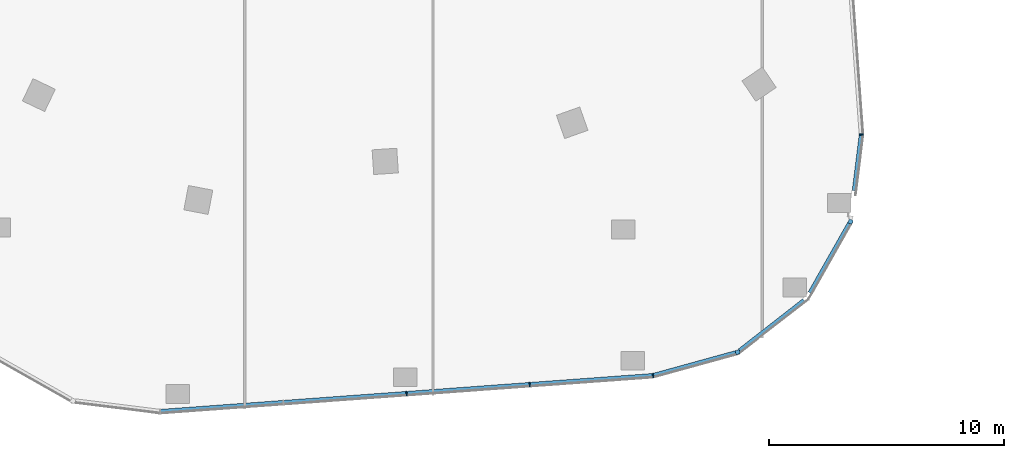
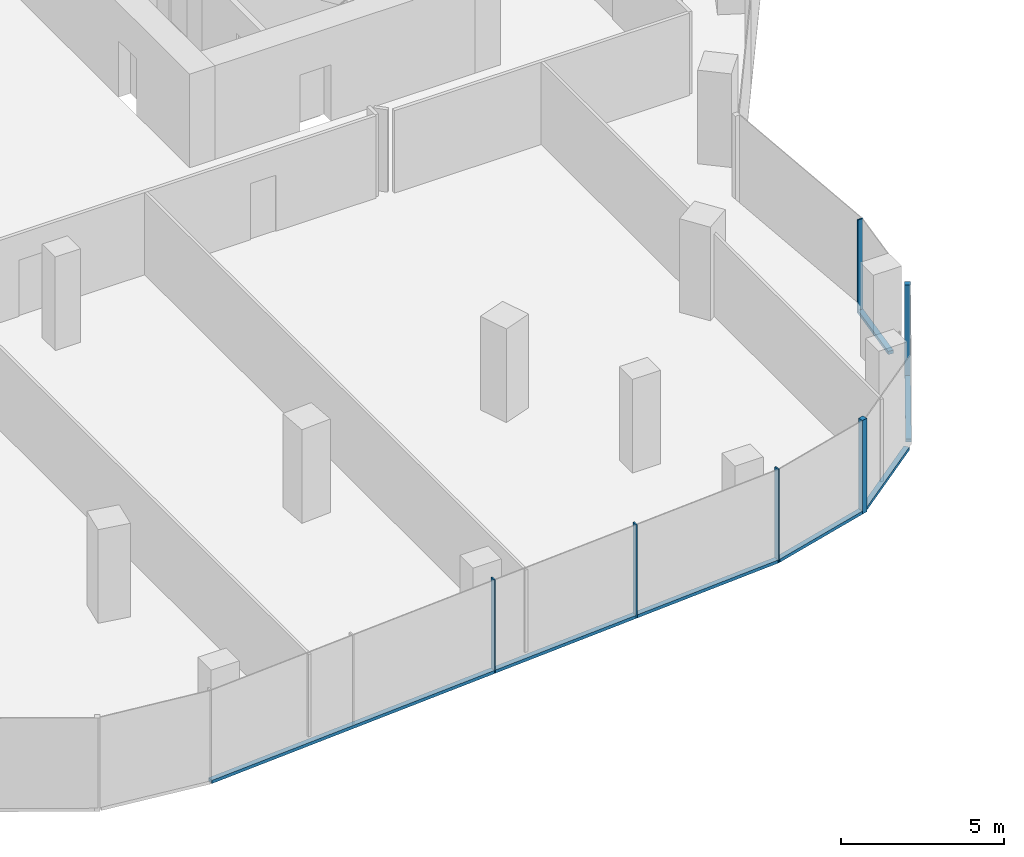
# One storey, part 4 of 24: 11 members, 5 elements without a shape of their own.
"""IFC4 building model written with IfcOpenShell, lengths in metres."""

from ifc_helpers import new_model, si_unit, direction, frame, origin, origin_2d, place, context, subcontext, project, spatial, rectangle, extrude, material, material_profile, profile_set, type_object, element, aggregate, save


model = new_model("IFC4")

# Units and contexts
model_context = context("Model", 3, precision=1e-05, world=origin(), true_north=direction((0.0, 1.0)))
body_context = subcontext(model_context, "Body", "Model", "MODEL_VIEW")
ifc_project = project(units=[si_unit("LENGTHUNIT", "METRE"), si_unit("AREAUNIT", "SQUARE_METRE"), si_unit("VOLUMEUNIT", "CUBIC_METRE"), si_unit("PLANEANGLEUNIT", "RADIAN"), si_unit("MASSUNIT", "GRAM", prefix="KILO")], contexts=[model_context])

# Site, building, storey
site_placement = place(None, origin())
site = spatial("IfcSite", under=ifc_project, at=site_placement, CompositionType="ELEMENT")
building_placement = place(site_placement, origin())
building = spatial("IfcBuilding", under=site, at=building_placement, Name="Orlundy Tower", CompositionType="ELEMENT")
storey_placement = place(building_placement, frame((0.0, 0.0, 235.5)))
storey = spatial("IfcBuildingStorey", under=building, at=storey_placement, Name="L62", CompositionType="ELEMENT", Elevation=235.5)

# Curtain wall, member
ifc_material_1 = material(Name="Aluminium bronze anodised", Category="aluminium")
curtain_wall_type = type_object("IfcCurtainWallType", Name="CW1 wall", PredefinedType="NOTDEFINED", material=ifc_material_1)
curtain_wall_1_placement = place(storey_placement, origin())
curtain_wall_1 = element("IfcCurtainWall", 1, at=curtain_wall_1_placement, inside=storey, type_object=curtain_wall_type, Name="CW1 run 04", PredefinedType="NOTDEFINED")
ifc_material_2 = material(Name="Aluminium bronze anodised", Category="aluminium")
ifc_material_profile_1 = material_profile(ifc_material_2, rectangle(XDim=0.179931640625, YDim=0.179931640625, at=origin_2d()), Name="CW1 corner post 180x180")
ifc_profile_set_1 = profile_set([ifc_material_profile_1], Name="Aluminium bronze anodised")
member_type_1 = type_object("IfcMemberType", Name="CW1 corner post 180x180", PredefinedType="MULLION", material=ifc_profile_set_1)
member_1_placement = place(storey_placement, frame((21.757080078125, -32.1748046875, -0.39990234375), z_axis=(0.0, 0.0, 1.0), x_axis=(0.869601381531, -0.493754430095, 0.0)))
member_1 = element("IfcMember", 2, at=member_1_placement, type_object=member_type_1, Name="CW1 mullion 7", PredefinedType="MULLION", context=body_context, shape_type="SweptSolid", body=[
    extrude(rectangle(XDim=0.179931640625, YDim=0.179931640625, at=origin_2d()), origin(), (0.0, 0.0, 1.0), 3.5),
])

curtain_wall_2_placement = place(storey_placement, origin())
curtain_wall_2 = element("IfcCurtainWall", 3, at=curtain_wall_2_placement, inside=storey, type_object=curtain_wall_type, Name="CW1 run 06", PredefinedType="NOTDEFINED")
member_2_placement = place(storey_placement, frame((16.957275390625, -37.72900390625, -0.39990234375), z_axis=(0.0, 0.0, 1.0), x_axis=(0.265946284152, -0.96398784948, 0.0)))
member_2 = element("IfcMember", 4, at=member_2_placement, type_object=member_type_1, Name="CW1 mullion 9", PredefinedType="MULLION", context=body_context, shape_type="SweptSolid", body=[
    extrude(rectangle(XDim=0.179931640625, YDim=0.179931640625, at=origin_2d()), origin(), (0.0, 0.0, 1.0), 3.5),
])

curtain_wall_3_placement = place(storey_placement, origin())
curtain_wall_3 = element("IfcCurtainWall", 5, at=curtain_wall_3_placement, inside=storey, type_object=curtain_wall_type, Name="CW1 run 03", PredefinedType="NOTDEFINED")
ifc_material_3 = material(Name="Aluminium bronze anodised", Category="aluminium")
ifc_material_profile_2 = material_profile(ifc_material_3, rectangle(XDim=0.179931640625, YDim=0.050048828125, at=origin_2d()), Name="CW1 mullion 50x180")
ifc_profile_set_2 = profile_set([ifc_material_profile_2], Name="Aluminium bronze anodised")
member_type_2 = type_object("IfcMemberType", Name="CW1 mullion 50x180", PredefinedType="MULLION", material=ifc_profile_set_2)
member_3_placement = place(storey_placement, frame((22.21728515625, -28.47021484375, -0.39990234375), z_axis=(0.0, 0.0, 1.0), x_axis=(0.999676246747, -0.025444089483, 0.0)))
member_3 = element("IfcMember", 6, at=member_3_placement, type_object=member_type_2, Name="CW1 mullion 6", PredefinedType="MULLION", context=body_context, shape_type="SweptSolid", body=[
    extrude(rectangle(XDim=0.179931640625, YDim=0.050048828125, at=origin_2d()), origin(), (0.0, 0.0, 1.0), 3.5),
])

# Curtain wall, members
curtain_wall_4_placement = place(storey_placement, origin())
curtain_wall_4 = element("IfcCurtainWall", 7, at=curtain_wall_4_placement, inside=storey, type_object=curtain_wall_type, Name="CW1 run 07", PredefinedType="NOTDEFINED")
member_4_placement = place(storey_placement, frame((13.357421875, -38.72216796875, -0.39990234375), z_axis=(0.0, 0.0, 1.0), x_axis=(0.170127379621, -0.985422079468, 0.0)))
member_4 = element("IfcMember", 8, at=member_4_placement, type_object=member_type_2, Name="CW1 mullion 10", PredefinedType="MULLION", context=body_context, shape_type="SweptSolid", body=[
    extrude(rectangle(XDim=0.179931640625, YDim=0.050048828125, at=origin_2d()), origin(), (0.0, 0.0, 1.0), 3.5),
])
member_5_placement = place(storey_placement, frame((8.112548828125, -39.104248046875, -0.39990234375), z_axis=(0.0, 0.0, 1.0), x_axis=(0.072668329988, -0.997356161969, 0.0)))
member_5 = element("IfcMember", 9, at=member_5_placement, type_object=member_type_2, Name="CW1 mullion 11", PredefinedType="MULLION", context=body_context, shape_type="SweptSolid", body=[
    extrude(rectangle(XDim=0.179931640625, YDim=0.050048828125, at=origin_2d()), origin(), (0.0, 0.0, 1.0), 3.5),
])
member_6_placement = place(storey_placement, frame((2.87646484375, -39.48583984375, -0.39990234375), z_axis=(0.0, 0.0, 1.0), x_axis=(0.072668329988, -0.997356161969, 0.0)))
member_6 = element("IfcMember", 10, at=member_6_placement, type_object=member_type_2, Name="CW1 mullion 12", PredefinedType="MULLION", context=body_context, shape_type="SweptSolid", body=[
    extrude(rectangle(XDim=0.179931640625, YDim=0.050048828125, at=origin_2d()), origin(), (0.0, 0.0, 1.0), 3.5),
])

# Member
ifc_material_4 = material(Name="Aluminium bronze anodised", Category="aluminium")
ifc_material_profile_3 = material_profile(ifc_material_4, rectangle(XDim=0.179931640625, YDim=0.1201171875, at=origin_2d()), Name="CW1 transom 180x120")
ifc_profile_set_3 = profile_set([ifc_material_profile_3], Name="Aluminium bronze anodised")
member_type_3 = type_object("IfcMemberType", Name="CW1 transom 180x120", PredefinedType="USERDEFINED", material=ifc_profile_set_3)
member_7_placement = place(storey_placement, frame((22.21435546875, -28.4951171875, -0.340087890625), z_axis=(-0.123354908055, -0.992362618532, 0.0), x_axis=(0.992362618532, -0.123354908055, 0.0)))
member_7 = element("IfcMember", 11, at=member_7_placement, type_object=member_type_3, Name="CW1 transom", ObjectType="TRANSOM", PredefinedType="USERDEFINED", context=body_context, shape_type="SweptSolid", body=[
    extrude(rectangle(XDim=0.179931640625, YDim=0.1201171875, at=origin_2d()), origin(), (0.0, 0.0, 1.0), 2.386962890625),
])

aggregate(curtain_wall_3, [member_3, member_7])

member_8_placement = place(storey_placement, frame((21.712646484375, -32.253173828125, -0.340087890625), z_axis=(-0.493783343086, -0.869584964273, 0.0), x_axis=(0.869584964273, -0.493783343086, 0.0)))
member_8 = element("IfcMember", 12, at=member_8_placement, type_object=member_type_3, Name="CW1 transom", ObjectType="TRANSOM", PredefinedType="USERDEFINED", context=body_context, shape_type="SweptSolid", body=[
    extrude(rectangle(XDim=0.179931640625, YDim=0.1201171875, at=origin_2d()), origin(), (0.0, 0.0, 1.0), 3.395751953125),
])

aggregate(curtain_wall_1, [member_1, member_8])

# Curtain wall, member
curtain_wall_5_placement = place(storey_placement, origin())
curtain_wall_5 = element("IfcCurtainWall", 13, at=curtain_wall_5_placement, inside=storey, type_object=curtain_wall_type, Name="CW1 run 05", PredefinedType="NOTDEFINED")
member_9_placement = place(storey_placement, frame((19.78369140625, -35.527099609375, -0.340087890625), z_axis=(-0.788880549611, -0.614546563285, 0.0), x_axis=(0.614546563285, -0.788880549611, 0.0)))
member_9 = element("IfcMember", 14, at=member_9_placement, type_object=member_type_3, Name="CW1 transom", ObjectType="TRANSOM", PredefinedType="USERDEFINED", context=body_context, shape_type="SweptSolid", body=[
    extrude(rectangle(XDim=0.179931640625, YDim=0.1201171875, at=origin_2d()), origin(), (0.0, 0.0, 1.0), 3.485595703125),
])
aggregate(curtain_wall_5, [member_9])

# Member
member_10_placement = place(storey_placement, frame((16.870361328125, -37.7529296875, -0.340087890625), z_axis=(-0.963993810847, -0.265924674763, 0.0), x_axis=(0.265924674763, -0.963993810847, 0.0)))
member_10 = element("IfcMember", 15, at=member_10_placement, type_object=member_type_3, Name="CW1 transom", ObjectType="TRANSOM", PredefinedType="USERDEFINED", context=body_context, shape_type="SweptSolid", body=[
    extrude(rectangle(XDim=0.179931640625, YDim=0.1201171875, at=origin_2d()), origin(), (0.0, 0.0, 1.0), 3.619140625),
])

aggregate(curtain_wall_2, [member_2, member_10])

member_11_placement = place(storey_placement, frame((13.332275390625, -38.723876953125, -0.340087890625), z_axis=(-0.997356020939, -0.072670265565, 0.0), x_axis=(0.072670265565, -0.997356020939, 0.0)))
member_11 = element("IfcMember", 16, at=member_11_placement, type_object=member_type_3, Name="CW1 transom", ObjectType="TRANSOM", PredefinedType="USERDEFINED", context=body_context, shape_type="SweptSolid", body=[
    extrude(rectangle(XDim=0.179931640625, YDim=0.1201171875, at=origin_2d()), origin(), (0.0, 0.0, 1.0), 20.967041015625),
])

aggregate(curtain_wall_4, [member_4, member_5, member_6, member_11])

save(model, "model.ifc")
